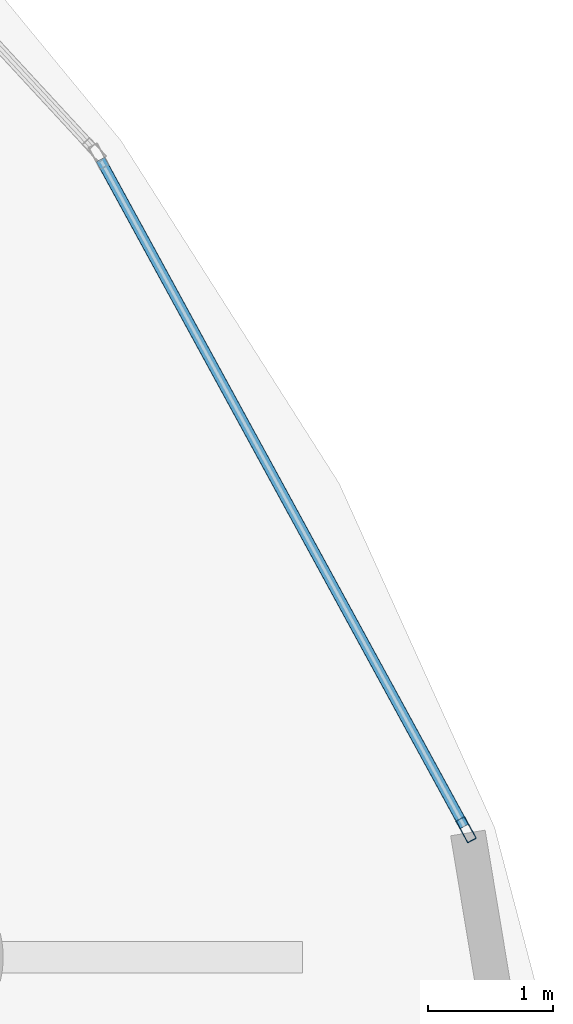
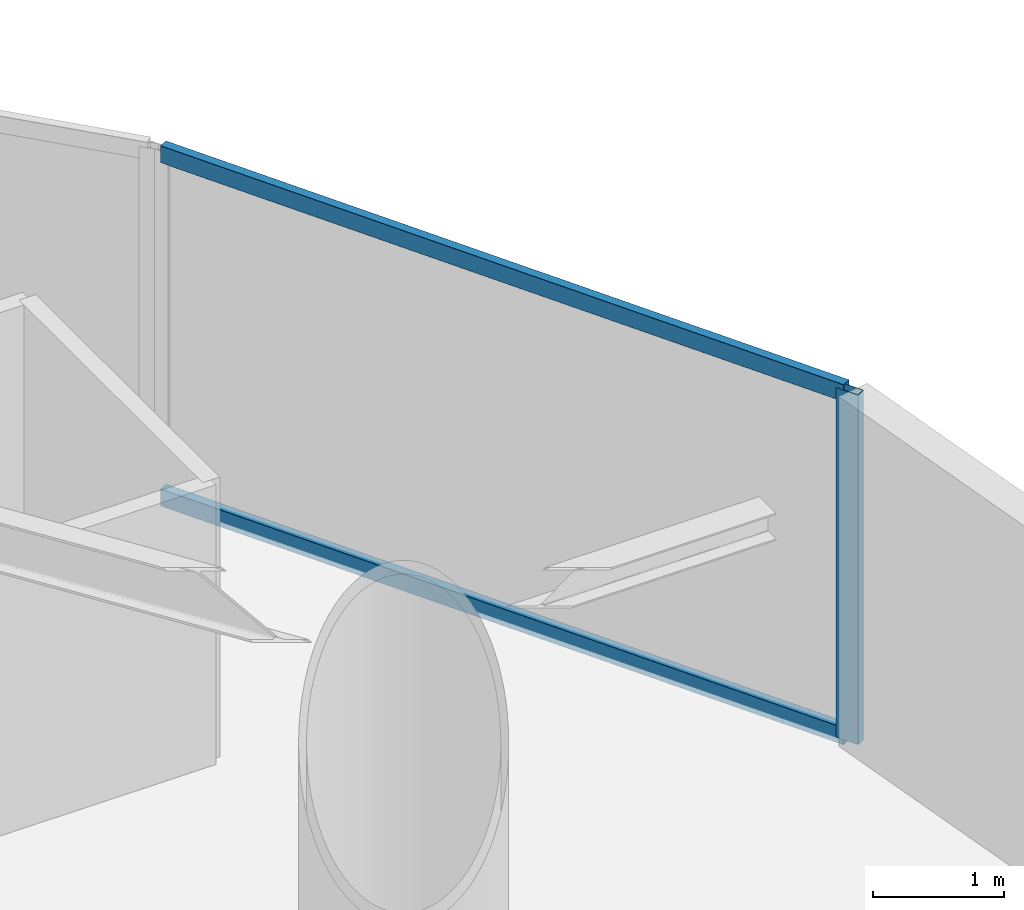
# One storey, part 10 of 27: 3 members, 1 element without a shape of its own.
"""IFC4 building model written with IfcOpenShell, lengths in metres."""

from ifc_helpers import new_model, si_unit, direction, frame, origin, origin_2d, place, context, subcontext, project, spatial, hollow_rectangle, extrude, material, layer, layer_set, material_profile, profile_set, type_object, element, aggregate, save


model = new_model("IFC4")

# Units and contexts
model_context = context("Model", 3, precision=1e-05, world=origin(), true_north=direction((0.0, 1.0)))
body_context = subcontext(model_context, "Body", "Model", "MODEL_VIEW")
ifc_project = project(units=[si_unit("LENGTHUNIT", "METRE"), si_unit("AREAUNIT", "SQUARE_METRE"), si_unit("VOLUMEUNIT", "CUBIC_METRE"), si_unit("PLANEANGLEUNIT", "RADIAN"), si_unit("MASSUNIT", "GRAM", prefix="KILO")], contexts=[model_context])

# Site, building, storey
site_placement = place(None, origin())
site = spatial("IfcSite", under=ifc_project, at=site_placement, CompositionType="ELEMENT")
building_placement = place(site_placement, origin())
building = spatial("IfcBuilding", under=site, at=building_placement, Name="Bramvorn Convention Spire", CompositionType="ELEMENT")
storey_placement = place(building_placement, frame((0.0, 0.0, 44.89990234375)))
storey = spatial("IfcBuildingStorey", under=building, at=storey_placement, Name="L08", CompositionType="ELEMENT", Elevation=44.89990234375)

# Curtain wall, members
ifc_material_1 = material(Name="Anodised Bronze Unitised Curtain Wall", Category="aluminium")
ifc_layer = layer(ifc_material_1, 0.179931640625)
ifc_layer_set = layer_set([ifc_layer], Name="Anodised Bronze Unitised Curtain Wall - CW-HTL-FRIT")
curtain_wall_type = type_object("IfcCurtainWallType", Name="CW-HTL-FRIT", PredefinedType="USERDEFINED", material=ifc_layer_set)
curtain_wall_placement = place(storey_placement, origin())
curtain_wall = element("IfcCurtainWall", 1, at=curtain_wall_placement, inside=storey, type_object=curtain_wall_type, Name="L08 fritted glass curtain wall 02", ObjectType="UNITISED CURTAIN WALL", PredefinedType="USERDEFINED")
ifc_material_2 = material(Name="Anodised Bronze Aluminium 6063-T6", Category="aluminium")
ifc_material_profile_1 = material_profile(ifc_material_2, hollow_rectangle(XDim=0.080078125, YDim=0.199951171875, WallThickness=0.00390625, InnerFilletRadius=0.0009765625, OuterFilletRadius=0.00390625, at=origin_2d()))
ifc_profile_set_1 = profile_set([ifc_material_profile_1], Name="Anodised Bronze Aluminium 6063-T6 - CWM80X200")
member_type_1 = type_object("IfcMemberType", Name="CW-MUL-180", PredefinedType="MULLION", material=ifc_profile_set_1)
member_1_placement = place(storey_placement, frame((69.850830078125, 30.36328125, 0.0), z_axis=(0.0, 0.0, 1.0), x_axis=(0.877811892076, 0.479005513674, 0.0)))
member_1 = element("IfcMember", 2, at=member_1_placement, type_object=member_type_1, Name="CW2 mullion 2", PredefinedType="MULLION", context=body_context, shape_type="SweptSolid", body=[
    extrude(hollow_rectangle(XDim=0.080078125, YDim=0.199951171875, WallThickness=0.00390625, InnerFilletRadius=0.0009765625, OuterFilletRadius=0.00390625, at=origin_2d()), origin(), (0.0, 0.0, 1.0), 3.25),
])
ifc_material_profile_2 = material_profile(ifc_material_2, hollow_rectangle(XDim=0.080078125, YDim=0.159912109375, WallThickness=0.00390625, InnerFilletRadius=0.0009765625, OuterFilletRadius=0.00390625, at=origin_2d()))
ifc_profile_set_2 = profile_set([ifc_material_profile_2], Name="Anodised Bronze Aluminium 6063-T6 - CWT80X160")
member_type_2 = type_object("IfcMemberType", Name="CW-TRN-150", PredefinedType="USERDEFINED", material=ifc_profile_set_2)
member_2_placement = place(storey_placement, frame((66.91845703125, 35.7373046875, 0.030029296875), z_axis=(0.478986902515, -0.877822047581, 0.0), x_axis=(0.877822047581, 0.478986902515, 0.0)))
member_2 = element("IfcMember", 3, at=member_2_placement, type_object=member_type_2, Name="CW2 transom 1.1", ObjectType="TRANSOM", PredefinedType="USERDEFINED", context=body_context, shape_type="SweptSolid", body=[
    extrude(hollow_rectangle(XDim=0.080078125, YDim=0.159912109375, WallThickness=0.00390625, InnerFilletRadius=0.0009765625, OuterFilletRadius=0.00390625, at=origin_2d()), origin(), (0.0, 0.0, 1.0), 6.092041015625),
])
member_3_placement = place(storey_placement, frame((66.91845703125, 35.7373046875, 3.22021484375), z_axis=(0.478986902515, -0.877822047581, 0.0), x_axis=(0.877822047581, 0.478986902515, 0.0)))
member_3 = element("IfcMember", 4, at=member_3_placement, type_object=member_type_2, Name="CW2 transom 1.2", ObjectType="TRANSOM", PredefinedType="USERDEFINED", context=body_context, shape_type="SweptSolid", body=[
    extrude(hollow_rectangle(XDim=0.080078125, YDim=0.159912109375, WallThickness=0.00390625, InnerFilletRadius=0.0009765625, OuterFilletRadius=0.00390625, at=origin_2d()), origin(), (0.0, 0.0, 1.0), 6.092041015625),
])
aggregate(curtain_wall, [member_1, member_2, member_3])

save(model, "model.ifc")
